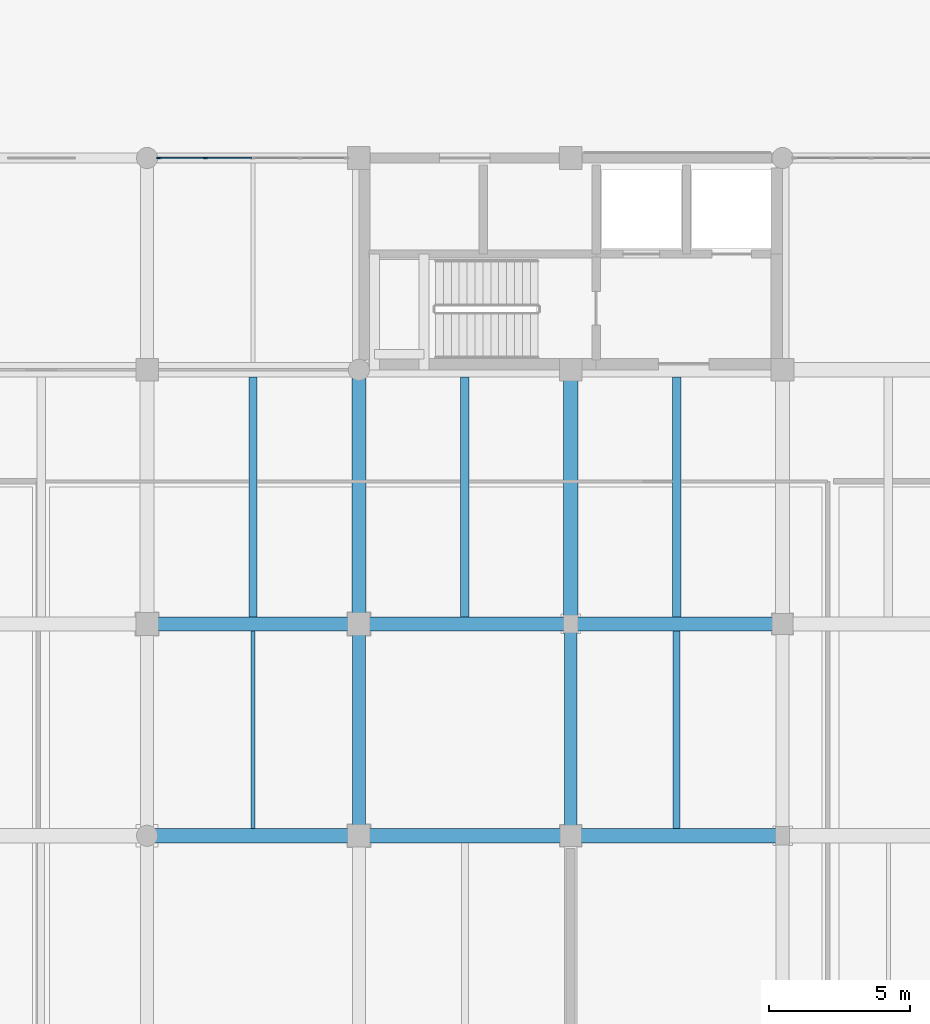
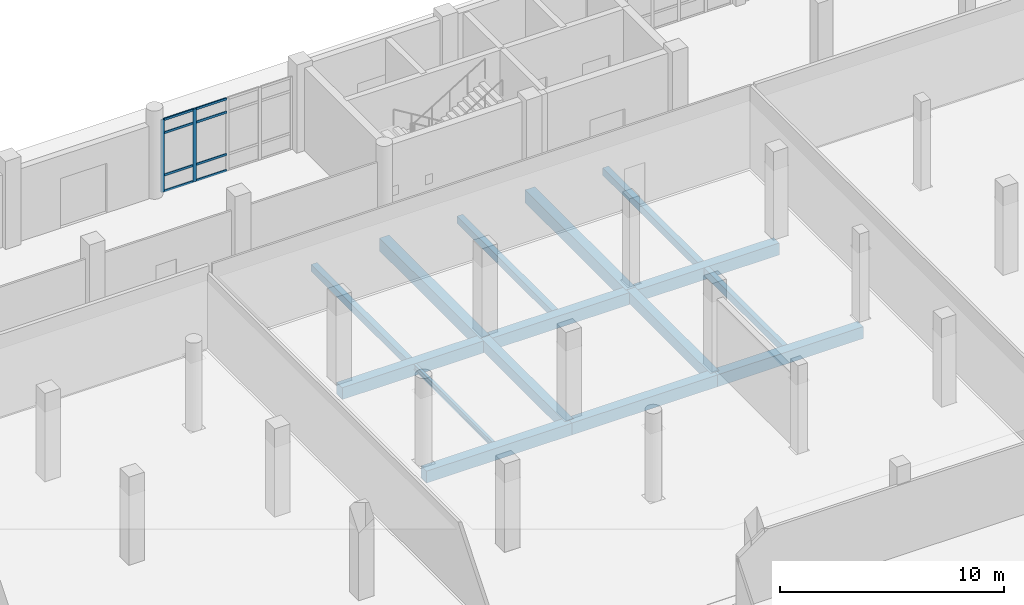
# One storey, part 51 of 125: 15 beams, 10 members, 1 element without a shape of its own.
"""IFC4 building model written with IfcOpenShell, lengths in metres."""

from ifc_helpers import new_model, si_unit, direction, frame, origin, origin_2d, place, context, subcontext, project, spatial, rectangle, i_section, extrude, material, layer, layer_set, material_profile, profile_set, type_object, element, aggregate, save


model = new_model("IFC4")

# Units and contexts
model_context = context("Model", 3, precision=1e-05, world=origin(), true_north=direction((0.0, 1.0)))
body_context = subcontext(model_context, "Body", "Model", "MODEL_VIEW")
ifc_project = project(units=[si_unit("LENGTHUNIT", "METRE"), si_unit("AREAUNIT", "SQUARE_METRE"), si_unit("VOLUMEUNIT", "CUBIC_METRE"), si_unit("PLANEANGLEUNIT", "RADIAN"), si_unit("MASSUNIT", "GRAM", prefix="KILO")], contexts=[model_context])

# Site, building, storey
site_placement = place(None, origin())
site = spatial("IfcSite", under=ifc_project, at=site_placement, CompositionType="ELEMENT")
building_placement = place(site_placement, origin())
building = spatial("IfcBuilding", under=site, at=building_placement, Name="Dalvernix Boulevard General Hospital", CompositionType="ELEMENT")
storey_placement = place(building_placement, origin())
storey = spatial("IfcBuildingStorey", under=building, at=storey_placement, Name="L00", CompositionType="ELEMENT", Elevation=0.0)

# Beams
ifc_material_1 = material(Name="Concrete C35/45", Category="concrete")
ifc_material_profile_1 = material_profile(ifc_material_1, rectangle(XDim=0.5, YDim=0.699951171875, at=origin_2d()), Name="RCB 500x700")
ifc_profile_set_1 = profile_set([ifc_material_profile_1], Name="Concrete C35/45")
beam_type_1 = type_object("IfcBeamType", Name="BM-B-01-I", PredefinedType="BEAM", material=ifc_profile_set_1)
for number, where, z_axis, x_axis, name in (
    (1, (97.5, 100.5, -0.7099609375), (0.0, 1.0, 0.0), (-1.0, 0.0, 0.0), "L00 N-S girder 14:P-Q"),
    (2, (105.0, 100.5, -0.7099609375), (0.0, 1.0, 0.0), (-1.0, 0.0, 0.0), "L00 N-S girder 15:P-Q"),
):
    element("IfcBeam", number, at=place(storey_placement, frame(where, z_axis=z_axis, x_axis=x_axis)), inside=storey, type_object=beam_type_1, Name=name, PredefinedType="BEAM", context=body_context, shape_type="SweptSolid", body=[
        extrude(rectangle(XDim=0.5, YDim=0.699951171875, at=origin_2d()), origin(), (0.0, 0.0, 1.0), 9.0),
    ])
ifc_material_profile_2 = material_profile(ifc_material_1, rectangle(XDim=0.5, YDim=0.64990234375, at=origin_2d()), Name="RCB 500x650")
ifc_profile_set_2 = profile_set([ifc_material_profile_2], Name="Concrete C35/45")
beam_type_2 = type_object("IfcBeamType", Name="BM-B-02-I", PredefinedType="BEAM", material=ifc_profile_set_2)
for number, where, z_axis, x_axis, name in (
    (3, (90.0, 93.0, -0.68505859375), (1.0, 0.0, 0.0), (0.0, 1.0, 0.0), "L00 E-W girder N:13-14"),
    (4, (97.5, 93.0, -0.68505859375), (1.0, 0.0, 0.0), (0.0, 1.0, 0.0), "L00 E-W girder N:14-15"),
    (5, (105.0, 93.0, -0.68505859375), (1.0, 0.0, 0.0), (0.0, 1.0, 0.0), "L00 E-W girder N:15-16"),
    (6, (90.0, 100.5, -0.68505859375), (1.0, 0.0, 0.0), (0.0, 1.0, 0.0), "L00 E-W girder P:13-14"),
    (7, (97.5, 100.5, -0.68505859375), (1.0, 0.0, 0.0), (0.0, 1.0, 0.0), "L00 E-W girder P:14-15"),
    (8, (105.0, 100.5, -0.68505859375), (1.0, 0.0, 0.0), (0.0, 1.0, 0.0), "L00 E-W girder P:15-16"),
):
    element("IfcBeam", number, at=place(storey_placement, frame(where, z_axis=z_axis, x_axis=x_axis)), inside=storey, type_object=beam_type_2, Name=name, PredefinedType="BEAM", context=body_context, shape_type="SweptSolid", body=[
        extrude(rectangle(XDim=0.5, YDim=0.64990234375, at=origin_2d()), origin(), (0.0, 0.0, 1.0), 7.5),
    ])
ifc_material_profile_3 = material_profile(ifc_material_1, rectangle(XDim=0.449951171875, YDim=0.60009765625, at=origin_2d()), Name="RCB 450x600")
ifc_profile_set_3 = profile_set([ifc_material_profile_3], Name="Concrete C35/45")
beam_type_3 = type_object("IfcBeamType", Name="BM-B-04-I", PredefinedType="BEAM", material=ifc_profile_set_3)
for number, where, z_axis, x_axis, name in (
    (9, (97.5, 93.0, -0.659912109375), (0.0, 1.0, 0.0), (-1.0, 0.0, 0.0), "L00 N-S girder 14:N-P"),
    (10, (105.0, 93.0, -0.659912109375), (0.0, 1.0, 0.0), (-1.0, 0.0, 0.0), "L00 N-S girder 15:N-P"),
):
    element("IfcBeam", number, at=place(storey_placement, frame(where, z_axis=z_axis, x_axis=x_axis)), inside=storey, type_object=beam_type_3, Name=name, PredefinedType="BEAM", context=body_context, shape_type="SweptSolid", body=[
        extrude(rectangle(XDim=0.449951171875, YDim=0.60009765625, at=origin_2d()), origin(), (0.0, 0.0, 1.0), 7.5),
    ])
ifc_material_profile_4 = material_profile(ifc_material_1, rectangle(XDim=0.300048828125, YDim=0.39990234375, at=origin_2d()), Name="RCB 300x400")
ifc_profile_set_4 = profile_set([ifc_material_profile_4], Name="Concrete C35/45")
beam_type_4 = type_object("IfcBeamType", Name="BM-JB-01", PredefinedType="JOIST", material=ifc_profile_set_4)
for number, where, z_axis, x_axis, name in (
    (11, (93.75, 100.75, -0.56005859375), (0.0, 1.0, 0.0), (-1.0, 0.0, 0.0), "L00 secondary floor beam 13-P"),
    (12, (101.25, 100.75, -0.56005859375), (0.0, 1.0, 0.0), (-1.0, 0.0, 0.0), "L00 secondary floor beam 14-P"),
    (13, (108.75, 100.75, -0.56005859375), (0.0, 1.0, 0.0), (-1.0, 0.0, 0.0), "L00 secondary floor beam 15-P"),
):
    element("IfcBeam", number, at=place(storey_placement, frame(where, z_axis=z_axis, x_axis=x_axis)), inside=storey, type_object=beam_type_4, Name=name, PredefinedType="JOIST", context=body_context, shape_type="SweptSolid", body=[
        extrude(rectangle(XDim=0.300048828125, YDim=0.39990234375, at=origin_2d()), origin(), (0.0, 0.0, 1.0), 8.5),
    ])
ifc_material_profile_5 = material_profile(ifc_material_1, rectangle(XDim=0.25, YDim=0.39990234375, at=origin_2d()), Name="RCB 250x400")
ifc_profile_set_5 = profile_set([ifc_material_profile_5], Name="Concrete C35/45")
beam_type_5 = type_object("IfcBeamType", Name="BM-JB-02", PredefinedType="JOIST", material=ifc_profile_set_5)
beam_1_placement = place(storey_placement, frame((108.75, 93.25, -0.56005859375), z_axis=(0.0, 1.0, 0.0), x_axis=(-1.0, 0.0, 0.0)))
element("IfcBeam", 14, at=beam_1_placement, inside=storey, type_object=beam_type_5, Name="L00 secondary floor beam 15-N", PredefinedType="JOIST", context=body_context, shape_type="SweptSolid", body=[
    extrude(rectangle(XDim=0.25, YDim=0.39990234375, at=origin_2d()), origin(), (0.0, 0.0, 1.0), 7.0),
])
ifc_material_2 = material(Name="Steel S355", Category="steel")
ifc_material_profile_6 = material_profile(ifc_material_2, i_section(OverallWidth=0.14990234375, OverallDepth=0.300048828125, WebThickness=0.007080078125, FlangeThickness=0.0107421875, FilletRadius=0.014892578125, at=origin_2d()), Name="IPE 300")
ifc_profile_set_6 = profile_set([ifc_material_profile_6], Name="Steel S355")
beam_type_6 = type_object("IfcBeamType", Name="BM-JB-03", PredefinedType="JOIST", material=ifc_profile_set_6)
beam_2_placement = place(storey_placement, frame((93.75, 93.25, -0.510009765625), z_axis=(0.0, 1.0, 0.0), x_axis=(-1.0, 0.0, 0.0)))
element("IfcBeam", 15, at=beam_2_placement, inside=storey, type_object=beam_type_6, Name="L00 secondary floor beam 13-N", PredefinedType="JOIST", context=body_context, shape_type="SweptSolid", body=[
    extrude(i_section(OverallWidth=0.14990234375, OverallDepth=0.300048828125, WebThickness=0.007080078125, FlangeThickness=0.0107421875, FilletRadius=0.014892578125, at=origin_2d()), origin(), (0.0, 0.0, 1.0), 7.0),
])

# Curtain wall, members
ifc_material_3 = material(Name="Thermally broken aluminium and solar-control glass curtain wall", Category="aluminium")
ifc_layer = layer(ifc_material_3, 0.159912109375)
ifc_layer_set = layer_set([ifc_layer], Name="Thermally broken aluminium and solar-control glass curtain wall (CW-CW-A-67x40)")
curtain_wall_type = type_object("IfcCurtainWallType", Name="CW-CW-A-67x40", PredefinedType="USERDEFINED", material=ifc_layer_set)
curtain_wall_placement = place(storey_placement, origin())
curtain_wall = element("IfcCurtainWall", 16, at=curtain_wall_placement, inside=storey, type_object=curtain_wall_type, Name="L00 curtain wall CW-A-67x40 12-15", ObjectType="GLAZED FACADE", PredefinedType="USERDEFINED")
ifc_material_4 = material(Name="Aluminium EN AW-6060", Category="aluminium")
ifc_material_profile_7 = material_profile(ifc_material_4, rectangle(XDim=0.06005859375, YDim=0.159912109375, at=origin_2d()), Name="ALU MULL 60x160")
ifc_profile_set_7 = profile_set([ifc_material_profile_7], Name="Aluminium EN AW-6060")
member_type_1 = type_object("IfcMemberType", Name="MEM-CW-M1", PredefinedType="MULLION", material=ifc_profile_set_7)
member_1_placement = place(storey_placement, frame((90.4150390625, 117.0, 0.0), z_axis=(0.0, 0.0, 1.0), x_axis=(0.0, 1.0, 0.0)))
member_1 = element("IfcMember", 17, at=member_1_placement, type_object=member_type_1, Name="CW-A-67x40 mullion 1", PredefinedType="MULLION", context=body_context, shape_type="SweptSolid", body=[
    extrude(rectangle(XDim=0.06005859375, YDim=0.159912109375, at=origin_2d()), origin(), (0.0, 0.0, 1.0), 3.949951171875),
])
member_2_placement = place(storey_placement, frame((92.061279296875, 117.0, 0.0), z_axis=(0.0, 0.0, 1.0), x_axis=(0.0, 1.0, 0.0)))
member_2 = element("IfcMember", 18, at=member_2_placement, type_object=member_type_1, Name="CW-A-67x40 mullion 2", PredefinedType="MULLION", context=body_context, shape_type="SweptSolid", body=[
    extrude(rectangle(XDim=0.06005859375, YDim=0.159912109375, at=origin_2d()), origin(), (0.0, 0.0, 1.0), 3.949951171875),
])
ifc_material_profile_8 = material_profile(ifc_material_4, rectangle(XDim=0.06005859375, YDim=0.1201171875, at=origin_2d()), Name="ALU TRAN 60x120")
ifc_profile_set_8 = profile_set([ifc_material_profile_8], Name="Aluminium EN AW-6060")
member_type_2 = type_object("IfcMemberType", Name="MEM-CW-T1", PredefinedType="USERDEFINED", material=ifc_profile_set_8)
member_3_placement = place(storey_placement, frame((90.445068359375, 117.0, 0.030029296875), z_axis=(1.0, 0.0, 0.0), x_axis=(0.0, 1.0, 0.0)))
member_3 = element("IfcMember", 19, at=member_3_placement, type_object=member_type_2, Name="CW-A-67x40 transom 1.1", ObjectType="TRANSOM", PredefinedType="USERDEFINED", context=body_context, shape_type="SweptSolid", body=[
    extrude(rectangle(XDim=0.06005859375, YDim=0.1201171875, at=origin_2d()), origin(), (0.0, 0.0, 1.0), 1.586181640625),
])
member_4_placement = place(storey_placement, frame((90.445068359375, 117.0, 0.89990234375), z_axis=(1.0, 0.0, 0.0), x_axis=(0.0, 1.0, 0.0)))
member_4 = element("IfcMember", 20, at=member_4_placement, type_object=member_type_2, Name="CW-A-67x40 transom 1.2", ObjectType="TRANSOM", PredefinedType="USERDEFINED", context=body_context, shape_type="SweptSolid", body=[
    extrude(rectangle(XDim=0.06005859375, YDim=0.1201171875, at=origin_2d()), origin(), (0.0, 0.0, 1.0), 1.586181640625),
])
member_5_placement = place(storey_placement, frame((90.445068359375, 117.0, 3.199951171875), z_axis=(1.0, 0.0, 0.0), x_axis=(0.0, 1.0, 0.0)))
member_5 = element("IfcMember", 21, at=member_5_placement, type_object=member_type_2, Name="CW-A-67x40 transom 1.3", ObjectType="TRANSOM", PredefinedType="USERDEFINED", context=body_context, shape_type="SweptSolid", body=[
    extrude(rectangle(XDim=0.06005859375, YDim=0.1201171875, at=origin_2d()), origin(), (0.0, 0.0, 1.0), 1.586181640625),
])
member_6_placement = place(storey_placement, frame((90.445068359375, 117.0, 3.919921875), z_axis=(1.0, 0.0, 0.0), x_axis=(0.0, 1.0, 0.0)))
member_6 = element("IfcMember", 22, at=member_6_placement, type_object=member_type_2, Name="CW-A-67x40 transom 1.4", ObjectType="TRANSOM", PredefinedType="USERDEFINED", context=body_context, shape_type="SweptSolid", body=[
    extrude(rectangle(XDim=0.06005859375, YDim=0.1201171875, at=origin_2d()), origin(), (0.0, 0.0, 1.0), 1.586181640625),
])
member_7_placement = place(storey_placement, frame((92.09130859375, 117.0, 0.030029296875), z_axis=(1.0, 0.0, 0.0), x_axis=(0.0, 1.0, 0.0)))
member_7 = element("IfcMember", 23, at=member_7_placement, type_object=member_type_2, Name="CW-A-67x40 transom 2.1", ObjectType="TRANSOM", PredefinedType="USERDEFINED", context=body_context, shape_type="SweptSolid", body=[
    extrude(rectangle(XDim=0.06005859375, YDim=0.1201171875, at=origin_2d()), origin(), (0.0, 0.0, 1.0), 1.6162109375),
])
member_8_placement = place(storey_placement, frame((92.09130859375, 117.0, 0.89990234375), z_axis=(1.0, 0.0, 0.0), x_axis=(0.0, 1.0, 0.0)))
member_8 = element("IfcMember", 24, at=member_8_placement, type_object=member_type_2, Name="CW-A-67x40 transom 2.2", ObjectType="TRANSOM", PredefinedType="USERDEFINED", context=body_context, shape_type="SweptSolid", body=[
    extrude(rectangle(XDim=0.06005859375, YDim=0.1201171875, at=origin_2d()), origin(), (0.0, 0.0, 1.0), 1.6162109375),
])
member_9_placement = place(storey_placement, frame((92.09130859375, 117.0, 3.199951171875), z_axis=(1.0, 0.0, 0.0), x_axis=(0.0, 1.0, 0.0)))
member_9 = element("IfcMember", 25, at=member_9_placement, type_object=member_type_2, Name="CW-A-67x40 transom 2.3", ObjectType="TRANSOM", PredefinedType="USERDEFINED", context=body_context, shape_type="SweptSolid", body=[
    extrude(rectangle(XDim=0.06005859375, YDim=0.1201171875, at=origin_2d()), origin(), (0.0, 0.0, 1.0), 1.6162109375),
])
member_10_placement = place(storey_placement, frame((92.09130859375, 117.0, 3.919921875), z_axis=(1.0, 0.0, 0.0), x_axis=(0.0, 1.0, 0.0)))
member_10 = element("IfcMember", 26, at=member_10_placement, type_object=member_type_2, Name="CW-A-67x40 transom 2.4", ObjectType="TRANSOM", PredefinedType="USERDEFINED", context=body_context, shape_type="SweptSolid", body=[
    extrude(rectangle(XDim=0.06005859375, YDim=0.1201171875, at=origin_2d()), origin(), (0.0, 0.0, 1.0), 1.6162109375),
])
aggregate(curtain_wall, [member_1, member_2, member_3, member_4, member_5, member_6, member_7, member_8, member_9, member_10])

save(model, "model.ifc")
